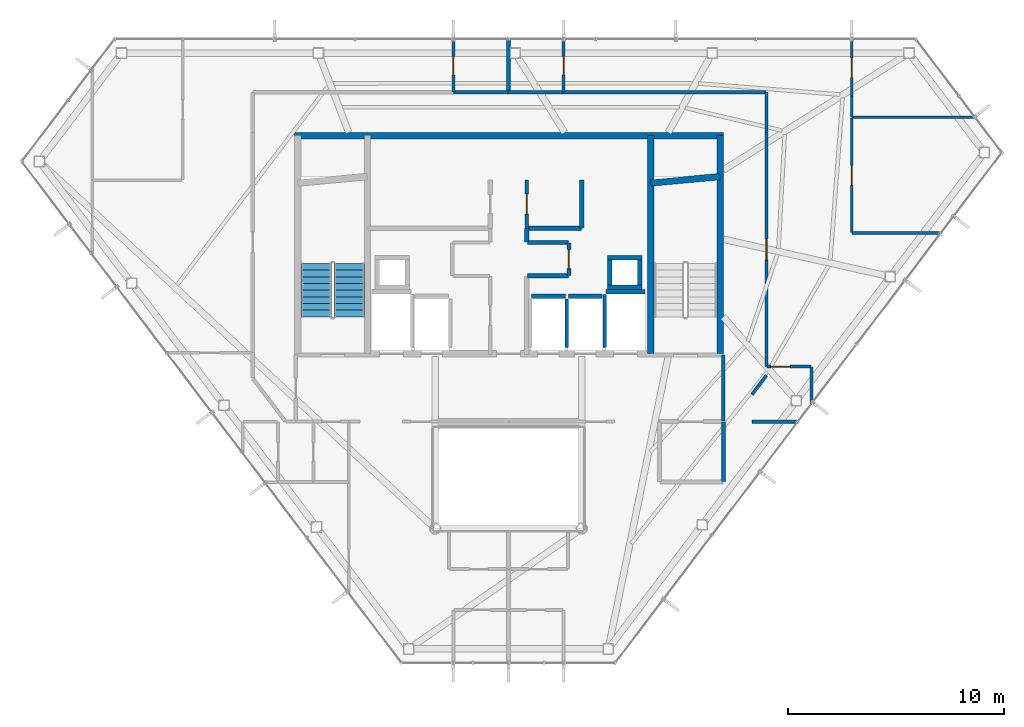
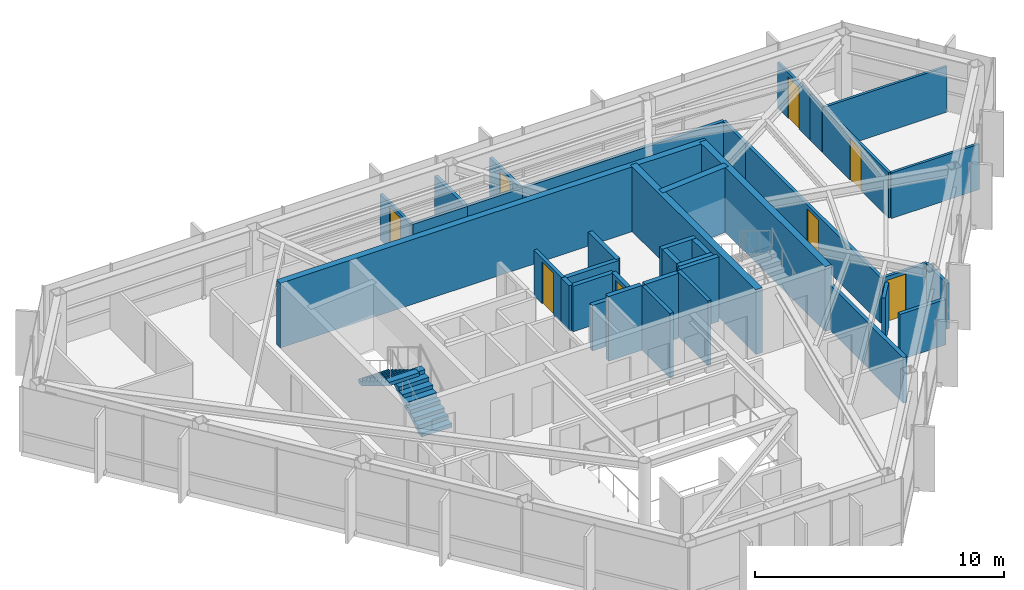
# One storey, part 23 of 25: 39 walls, 8 doors, 2 stair flights, 8 openings, 1 element without a shape of its own.
"""IFC4 building model written with IfcOpenShell, lengths in metres."""

from ifc_helpers import new_model, si_unit, direction, frame, frame_2d, origin, place, context, subcontext, project, spatial, polyline, rectangle, outline, extrude, material, layer, layer_set, type_object, element, fill, aggregate, save


model = new_model("IFC4")

# Units and contexts
model_context = context("Model", 3, precision=1e-05, world=origin(), true_north=direction((0.0, 1.0)))
body_context = subcontext(model_context, "Body", "Model", "MODEL_VIEW")
ifc_project = project(units=[si_unit("LENGTHUNIT", "METRE"), si_unit("AREAUNIT", "SQUARE_METRE"), si_unit("VOLUMEUNIT", "CUBIC_METRE"), si_unit("PLANEANGLEUNIT", "RADIAN"), si_unit("MASSUNIT", "GRAM", prefix="KILO")], contexts=[model_context])

# Site, building, storey
site_placement = place(None, origin())
site = spatial("IfcSite", under=ifc_project, at=site_placement, CompositionType="ELEMENT")
building_placement = place(site_placement, origin())
building = spatial("IfcBuilding", under=site, at=building_placement, Name="Zarrinselat Tower", CompositionType="ELEMENT")
storey_placement = place(building_placement, frame((0.0, 0.0, 261.800048828125)))
storey = spatial("IfcBuildingStorey", under=building, at=storey_placement, Name="L66", CompositionType="ELEMENT", Elevation=261.800048828125)

# Walls
ifc_material_1 = material(Name="Fire-Rated Gypsum Board Partition", Category="gypsum")
ifc_layer_1 = layer(ifc_material_1, 0.1650390625)
ifc_layer_set_1 = layer_set([ifc_layer_1], Name="Fire-Rated Gypsum Board Partition")
wall_type_1 = type_object("IfcWallType", Name="WAL-PART-DEMISE", PredefinedType="PARTITIONING", material=ifc_layer_set_1)
wall_1_placement = place(storey_placement, frame((49.67431640625, 30.14990234375, 0.0), z_axis=(0.0, 0.0, 1.0), x_axis=(1.0, 0.0, 0.0)))
element("IfcWall", 1, at=wall_1_placement, inside=storey, type_object=wall_type_1, Name="L66 Partition Wall 59", PredefinedType="PARTITIONING", context=body_context, shape_type="SweptSolid", body=[
    extrude(rectangle(XDim=2.122314453125, YDim=0.1650390625, at=frame_2d((1.06103515625, 0.0))), origin(), (0.0, 0.0, 1.0), 2.23486328125),
])
wall_2_placement = place(storey_placement, frame((38.39990234375, 45.4267578125, 0.0), z_axis=(0.0, 0.0, 1.0), x_axis=(0.0, 1.0, 0.0)))
element("IfcWall", 2, at=wall_2_placement, inside=storey, type_object=wall_type_1, Name="L66 Partition Wall 66", PredefinedType="PARTITIONING", context=body_context, shape_type="SweptSolid", body=[
    extrude(rectangle(XDim=2.425048828125, YDim=0.1650390625, at=frame_2d((1.21240234375, 0.0))), origin(), (0.0, 0.0, 1.0), 2.23486328125),
])
ifc_material_2 = material(Name="Concrete C40/50", Category="concrete")
ifc_layer_2 = layer(ifc_material_2, 0.18994140625)
ifc_layer_set_2 = layer_set([ifc_layer_2], Name="Concrete C40/50")
wall_type_2 = type_object("IfcWallType", Name="WAL-PART-EI120", PredefinedType="PARTITIONING", material=ifc_layer_set_2)
wall_3_placement = place(storey_placement, frame((48.35009765625, 27.3701171875, 0.0), z_axis=(0.0, 0.0, 1.0), x_axis=(0.0, 1.0, 0.0)))
element("IfcWall", 3, at=wall_3_placement, inside=storey, type_object=wall_type_2, Name="L66 Partition Wall 26", PredefinedType="PARTITIONING", context=body_context, shape_type="SweptSolid", body=[
    extrude(rectangle(XDim=2.759765625, YDim=0.18994140625, at=frame_2d((1.3798828125, 0.0))), origin(), (0.0, 0.0, 1.0), 2.23486328125),
])

# Wall, opening, door
ifc_material_3 = material(Name="Fire-Rated Gypsum Board Partition", Category="gypsum")
ifc_layer_3 = layer(ifc_material_3, 0.14990234375)
ifc_layer_set_3 = layer_set([ifc_layer_3], Name="Fire-Rated Gypsum Board Partition")
wall_type_3 = type_object("IfcWallType", Name="WAL-PART-EI60", PredefinedType="PARTITIONING", material=ifc_layer_set_3)
wall_4_placement = place(storey_placement, frame((39.25, 39.10498046875, 0.0), z_axis=(0.0, 0.0, 1.0), x_axis=(0.0, 1.0, 0.0)))
wall_4 = element("IfcWall", 4, at=wall_4_placement, inside=storey, type_object=wall_type_3, Name="L66 Partition Wall 12", PredefinedType="PARTITIONING", context=body_context, shape_type="SweptSolid", body=[
    extrude(rectangle(XDim=2.2451171875, YDim=0.14990234375, at=frame_2d((1.12255859375, 0.0))), origin(), (0.0, 0.0, 1.0), 2.23486328125),
])
opening_1_placement = place(wall_4_placement, frame((0.652587890625, 0.0, 0.0)))
opening_1 = element("IfcOpeningElement", 5, at=opening_1_placement, cuts=wall_4, Name="Opening ID-04", PredefinedType="OPENING", context=body_context, shape_type="SweptSolid", body=[
    extrude(rectangle(XDim=0.93994140625, YDim=2.050048828125, at=frame_2d((0.469970703125, 1.02490234375))), frame((0.0, 0.0849609375, 0.0), z_axis=(0.0, -1.0, 0.0), x_axis=(1.0, 0.0, 0.0)), (0.0, 0.0, 1.0), 0.169921875),
])
ifc_material_4 = material(Name="Fire-Rated Gypsum Board Partition")
door_type_1 = type_object("IfcDoorType", Name="DR-INT-FD30-ENT", OperationType="NOTDEFINED", PredefinedType="DOOR", material=ifc_material_4)
door_1_placement = place(opening_1_placement, origin())
door_1 = element("IfcDoor", 6, at=door_1_placement, inside=storey, type_object=door_type_1, Name="L66 Interior Door P12", OperationType="SINGLE_SWING_RIGHT", OverallHeight=2.050048828125, OverallWidth=0.93994140625, PredefinedType="DOOR", context=body_context, shape_type="SweptSolid", body=[
    extrude(rectangle(XDim=0.93994140625, YDim=2.050048828125, at=frame_2d((0.469970703125, 1.02490234375))), frame((0.0, 0.02490234375, 0.0), z_axis=(0.0, -1.0, 0.0), x_axis=(1.0, 0.0, 0.0)), (0.0, 0.0, 1.0), 0.050048828125),
])
fill(opening_1, door_1)

# Walls
wall_5_placement = place(storey_placement, frame((48.35009765625, 30.169921875, 0.0), z_axis=(0.0, 0.0, 1.0), x_axis=(0.0, 1.0, 0.0)))
element("IfcWall", 7, at=wall_5_placement, inside=storey, type_object=wall_type_3, Name="L66 Partition Wall 18", PredefinedType="PARTITIONING", context=body_context, shape_type="SweptSolid", body=[
    extrude(rectangle(XDim=3.06005859375, YDim=0.14990234375, at=frame_2d((1.530029296875, 0.0))), origin(), (0.0, 0.0, 1.0), 2.23486328125),
])
wall_6_placement = place(storey_placement, frame((35.85498046875, 45.40673828125, 0.0), z_axis=(0.0, 0.0, 1.0), x_axis=(1.0, 0.0, 0.0)))
element("IfcWall", 8, at=wall_6_placement, inside=storey, type_object=wall_type_3, Name="L66 Partition Wall 31", PredefinedType="PARTITIONING", context=body_context, shape_type="SweptSolid", body=[
    extrude(rectangle(XDim=2.5400390625, YDim=0.14990234375, at=frame_2d((1.27001953125, 0.0))), origin(), (0.0, 0.0, 1.0), 2.23486328125),
])
wall_7_placement = place(storey_placement, frame((40.955078125, 45.40673828125, 0.0), z_axis=(0.0, 0.0, 1.0), x_axis=(1.0, 0.0, 0.0)))
element("IfcWall", 9, at=wall_7_placement, inside=storey, type_object=wall_type_3, Name="L66 Partition Wall 34", PredefinedType="PARTITIONING", context=body_context, shape_type="SweptSolid", body=[
    extrude(rectangle(XDim=9.375, YDim=0.14990234375, at=frame_2d((4.6875, 0.0))), origin(), (0.0, 0.0, 1.0), 2.23486328125),
])
wall_8_placement = place(storey_placement, frame((50.35009765625, 43.550048828125, 0.0), z_axis=(0.0, 0.0, 1.0), x_axis=(0.0, 1.0, 0.0)))
element("IfcWall", 10, at=wall_8_placement, inside=storey, type_object=wall_type_3, Name="L66 Partition Wall 35", PredefinedType="PARTITIONING", context=body_context, shape_type="SweptSolid", body=[
    extrude(rectangle(XDim=1.836669921875, YDim=0.14990234375, at=frame_2d((0.91845703125, 0.0))), origin(), (0.0, 0.0, 1.0), 2.23486328125),
])

# Wall, opening, door
wall_9_placement = place(storey_placement, frame((50.35009765625, 32.705078125, 0.0), z_axis=(0.0, 0.0, 1.0), x_axis=(0.0, 1.0, 0.0)))
wall_9 = element("IfcWall", 11, at=wall_9_placement, inside=storey, type_object=wall_type_3, Name="L66 Partition Wall 36", PredefinedType="PARTITIONING", context=body_context, shape_type="SweptSolid", body=[
    extrude(rectangle(XDim=10.844970703125, YDim=0.14990234375, at=frame_2d((5.42236328125, 0.0))), origin(), (0.0, 0.0, 1.0), 2.23486328125),
])
opening_2_placement = place(wall_9_placement, frame((4.952392578125, 0.0, 0.0)))
opening_2 = element("IfcOpeningElement", 12, at=opening_2_placement, cuts=wall_9, Name="Opening ID-04", PredefinedType="OPENING", context=body_context, shape_type="SweptSolid", body=[
    extrude(rectangle(XDim=0.93994140625, YDim=2.050048828125, at=frame_2d((0.469970703125, 1.02490234375))), frame((0.0, 0.0849609375, 0.0), z_axis=(0.0, -1.0, 0.0), x_axis=(1.0, 0.0, 0.0)), (0.0, 0.0, 1.0), 0.169921875),
])
door_2_placement = place(opening_2_placement, origin())
door_2 = element("IfcDoor", 13, at=door_2_placement, inside=storey, type_object=door_type_1, Name="L66 Interior Door P36", OperationType="SINGLE_SWING_LEFT", OverallHeight=2.050048828125, OverallWidth=0.93994140625, PredefinedType="DOOR", context=body_context, shape_type="SweptSolid", body=[
    extrude(rectangle(XDim=0.93994140625, YDim=2.050048828125, at=frame_2d((0.469970703125, 1.02490234375))), frame((0.0, 0.02490234375, 0.0), z_axis=(0.0, -1.0, 0.0), x_axis=(1.0, 0.0, 0.0)), (0.0, 0.0, 1.0), 0.050048828125),
])
fill(opening_2, door_2)

# Walls
wall_10_placement = place(storey_placement, frame((49.67431640625, 31.402587890625, 0.0), z_axis=(0.0, 0.0, 1.0), x_axis=(0.603937499622, 0.797031678511, 0.0)))
element("IfcWall", 14, at=wall_10_placement, inside=storey, type_object=wall_type_3, Name="L66 Partition Wall 37", PredefinedType="PARTITIONING", context=body_context, shape_type="SweptSolid", body=[
    extrude(rectangle(XDim=1.118896484375, YDim=0.14990234375, at=frame_2d((0.5595703125, 0.0))), origin(), (0.0, 0.0, 1.0), 2.23486328125),
])
wall_11_placement = place(storey_placement, frame((38.405029296875, 45.40673828125, 0.0), z_axis=(0.0, 0.0, 1.0), x_axis=(1.0, 0.0, 0.0)))
element("IfcWall", 15, at=wall_11_placement, inside=storey, type_object=wall_type_3, Name="L66 Partition Wall 38", PredefinedType="PARTITIONING", context=body_context, shape_type="SweptSolid", body=[
    extrude(rectangle(XDim=2.5400390625, YDim=0.14990234375, at=frame_2d((1.27001953125, 0.0))), origin(), (0.0, 0.0, 1.0), 2.23486328125),
])
ifc_material_5 = material(Name="Concrete C40/50", Category="concrete")
ifc_layer_4 = layer(ifc_material_5, 0.199951171875)
ifc_layer_set_4 = layer_set([ifc_layer_4], Name="Concrete C40/50")
wall_type_4 = type_object("IfcWallType", Name="WAL-PART-PLANT", PredefinedType="PARTITIONING", material=ifc_layer_set_4)
wall_12_placement = place(storey_placement, frame((39.25, 38.469970703125, 0.0), z_axis=(0.0, 0.0, 1.0), x_axis=(0.0, 1.0, 0.0)))
element("IfcWall", 16, at=wall_12_placement, inside=storey, type_object=wall_type_4, Name="L66 Partition Wall 7", PredefinedType="PARTITIONING", context=body_context, shape_type="SweptSolid", body=[
    extrude(rectangle(XDim=0.625, YDim=0.199951171875, at=frame_2d((0.3125, 0.0))), origin(), (0.0, 0.0, 1.0), 2.23486328125),
])
wall_13_placement = place(storey_placement, frame((39.27001953125, 38.449951171875, 0.0), z_axis=(0.0, 0.0, 1.0), x_axis=(1.0, 0.0, 0.0)))
element("IfcWall", 17, at=wall_13_placement, inside=storey, type_object=wall_type_4, Name="L66 Partition Wall 8", PredefinedType="PARTITIONING", context=body_context, shape_type="SweptSolid", body=[
    extrude(rectangle(XDim=1.909912109375, YDim=0.199951171875, at=frame_2d((0.955078125, 0.0))), origin(), (0.0, 0.0, 1.0), 2.23486328125),
])

# Wall, opening, door
wall_14_placement = place(storey_placement, frame((41.199951171875, 36.919921875, 0.0), z_axis=(0.0, 0.0, 1.0), x_axis=(0.0, 1.0, 0.0)))
wall_14 = element("IfcWall", 18, at=wall_14_placement, inside=storey, type_object=wall_type_4, Name="L66 Partition Wall 9", PredefinedType="PARTITIONING", context=body_context, shape_type="SweptSolid", body=[
    extrude(rectangle(XDim=1.510009765625, YDim=0.199951171875, at=frame_2d((0.7548828125, 0.0))), origin(), (0.0, 0.0, 1.0), 2.23486328125),
])
opening_3_placement = place(wall_14_placement, frame((0.31494140625, 0.0, 0.0)))
opening_3 = element("IfcOpeningElement", 19, at=opening_3_placement, cuts=wall_14, Name="Opening ID-03", PredefinedType="OPENING", context=body_context, shape_type="SweptSolid", body=[
    extrude(rectangle(XDim=0.8798828125, YDim=2.050048828125, at=frame_2d((0.43994140625, 1.02490234375))), frame((0.0, 0.10986328125, 0.0), z_axis=(0.0, -1.0, 0.0), x_axis=(1.0, 0.0, 0.0)), (0.0, 0.0, 1.0), 0.219970703125),
])
ifc_material_6 = material(Name="Steel S355J2", Category="steel")
door_type_2 = type_object("IfcDoorType", Name="DR-INT-FD60-S", OperationType="NOTDEFINED", PredefinedType="DOOR", material=ifc_material_6)
door_3_placement = place(opening_3_placement, origin())
door_3 = element("IfcDoor", 20, at=door_3_placement, inside=storey, type_object=door_type_2, Name="L66 Interior Door P9", OperationType="SINGLE_SWING_LEFT", OverallHeight=2.050048828125, OverallWidth=0.8798828125, PredefinedType="DOOR", context=body_context, shape_type="SweptSolid", body=[
    extrude(rectangle(XDim=0.8798828125, YDim=2.050048828125, at=frame_2d((0.43994140625, 1.02490234375))), frame((0.0, 0.02490234375, 0.0), z_axis=(0.0, -1.0, 0.0), x_axis=(1.0, 0.0, 0.0)), (0.0, 0.0, 1.0), 0.050048828125),
])
fill(opening_3, door_3)

# Walls
wall_15_placement = place(storey_placement, frame((39.27001953125, 36.89990234375, 0.0), z_axis=(0.0, 0.0, 1.0), x_axis=(1.0, 0.0, 0.0)))
element("IfcWall", 21, at=wall_15_placement, inside=storey, type_object=wall_type_4, Name="L66 Partition Wall 10", PredefinedType="PARTITIONING", context=body_context, shape_type="SweptSolid", body=[
    extrude(rectangle(XDim=1.909912109375, YDim=0.199951171875, at=frame_2d((0.955078125, 0.0))), origin(), (0.0, 0.0, 1.0), 2.23486328125),
])
wall_16_placement = place(storey_placement, frame((39.27001953125, 39.10009765625, 0.0), z_axis=(0.0, 0.0, 1.0), x_axis=(1.0, 0.0, 0.0)))
element("IfcWall", 22, at=wall_16_placement, inside=storey, type_object=wall_type_4, Name="L66 Partition Wall 14", PredefinedType="PARTITIONING", context=body_context, shape_type="SweptSolid", body=[
    extrude(rectangle(XDim=2.510009765625, YDim=0.199951171875, at=frame_2d((1.2548828125, 0.0))), origin(), (0.0, 0.0, 1.0), 2.23486328125),
])
wall_17_placement = place(storey_placement, frame((41.800048828125, 39.1201171875, 0.0), z_axis=(0.0, 0.0, 1.0), x_axis=(0.0, 1.0, 0.0)))
element("IfcWall", 23, at=wall_17_placement, inside=storey, type_object=wall_type_4, Name="L66 Partition Wall 15", PredefinedType="PARTITIONING", context=body_context, shape_type="SweptSolid", body=[
    extrude(rectangle(XDim=2.22998046875, YDim=0.199951171875, at=frame_2d((1.114990234375, 0.0))), origin(), (0.0, 0.0, 1.0), 2.23486328125),
])

# Wall, opening, door
ifc_material_7 = material(Name="Fire-Rated Gypsum Board Partition", Category="gypsum")
ifc_layer_5 = layer(ifc_material_7, 0.1201171875)
ifc_layer_set_5 = layer_set([ifc_layer_5], Name="Fire-Rated Gypsum Board Partition")
wall_type_5 = type_object("IfcWallType", Name="WAL-PART-STD", PredefinedType="PARTITIONING", material=ifc_layer_set_5)
wall_18_placement = place(storey_placement, frame((54.301025390625, 45.23876953125, 0.0), z_axis=(0.0, 0.0, 1.0), x_axis=(0.0, 1.0, 0.0)))
wall_18 = element("IfcWall", 24, at=wall_18_placement, inside=storey, type_object=wall_type_5, Name="L66 Partition Wall 70", PredefinedType="PARTITIONING", context=body_context, shape_type="SweptSolid", body=[
    extrude(rectangle(XDim=2.613037109375, YDim=0.1201171875, at=frame_2d((1.306640625, 0.0))), origin(), (0.0, 0.0, 1.0), 2.23486328125),
])
opening_4_placement = place(wall_18_placement, frame((0.8564453125, 0.0, 0.0)))
opening_4 = element("IfcOpeningElement", 25, at=opening_4_placement, cuts=wall_18, Name="Opening ID-05", PredefinedType="OPENING", context=body_context, shape_type="SweptSolid", body=[
    extrude(rectangle(XDim=0.89990234375, YDim=2.050048828125, at=frame_2d((0.449951171875, 1.02490234375))), frame((0.0, 0.070068359375, 0.0), z_axis=(0.0, -1.0, 0.0), x_axis=(1.0, 0.0, 0.0)), (0.0, 0.0, 1.0), 0.14013671875),
])
ifc_material_8 = material(Name="Extruded Aluminium Alloy EN AW-6063 T6", Category="aluminium")
door_type_3 = type_object("IfcDoorType", Name="DR-INT-STD-920", OperationType="NOTDEFINED", PredefinedType="DOOR", material=ifc_material_8)
door_4_placement = place(opening_4_placement, origin())
door_4 = element("IfcDoor", 26, at=door_4_placement, inside=storey, type_object=door_type_3, Name="L66 Interior Door P70", OperationType="SINGLE_SWING_LEFT", OverallHeight=2.050048828125, OverallWidth=0.89990234375, PredefinedType="DOOR", context=body_context, shape_type="SweptSolid", body=[
    extrude(rectangle(XDim=0.89990234375, YDim=2.050048828125, at=frame_2d((0.449951171875, 1.02490234375))), frame((0.0, 0.02490234375, 0.0), z_axis=(0.0, -1.0, 0.0), x_axis=(1.0, 0.0, 0.0)), (0.0, 0.0, 1.0), 0.050048828125),
])
fill(opening_4, door_4)

# Wall
wall_19_placement = place(storey_placement, frame((54.301025390625, 44.2587890625, 0.0), z_axis=(0.0, 0.0, 1.0), x_axis=(0.0, 1.0, 0.0)))
element("IfcWall", 27, at=wall_19_placement, inside=storey, type_object=wall_type_5, Name="L66 Partition Wall 71", PredefinedType="PARTITIONING", context=body_context, shape_type="SweptSolid", body=[
    extrude(rectangle(XDim=0.97998046875, YDim=0.1201171875, at=frame_2d((0.489990234375, 0.0))), origin(), (0.0, 0.0, 1.0), 2.23486328125),
])

# Wall, opening, door
wall_20_placement = place(storey_placement, frame((54.301025390625, 38.906982421875, 0.0), z_axis=(0.0, 0.0, 1.0), x_axis=(0.0, 1.0, 0.0)))
wall_20 = element("IfcWall", 28, at=wall_20_placement, inside=storey, type_object=wall_type_5, Name="L66 Partition Wall 72", PredefinedType="PARTITIONING", context=body_context, shape_type="SweptSolid", body=[
    extrude(rectangle(XDim=5.311767578125, YDim=0.1201171875, at=frame_2d((2.65576171875, 0.0))), origin(), (0.0, 0.0, 1.0), 2.23486328125),
])
opening_5_placement = place(wall_20_placement, frame((2.205810546875, 0.0, 0.0)))
opening_5 = element("IfcOpeningElement", 29, at=opening_5_placement, cuts=wall_20, Name="Opening ID-05", PredefinedType="OPENING", context=body_context, shape_type="SweptSolid", body=[
    extrude(rectangle(XDim=0.89990234375, YDim=2.050048828125, at=frame_2d((0.449951171875, 1.02490234375))), frame((0.0, 0.070068359375, 0.0), z_axis=(0.0, -1.0, 0.0), x_axis=(1.0, 0.0, 0.0)), (0.0, 0.0, 1.0), 0.14013671875),
])
door_5_placement = place(opening_5_placement, origin())
door_5 = element("IfcDoor", 30, at=door_5_placement, inside=storey, type_object=door_type_3, Name="L66 Interior Door P72", OperationType="SINGLE_SWING_RIGHT", OverallHeight=2.050048828125, OverallWidth=0.89990234375, PredefinedType="DOOR", context=body_context, shape_type="SweptSolid", body=[
    extrude(rectangle(XDim=0.89990234375, YDim=2.050048828125, at=frame_2d((0.449951171875, 1.02490234375))), frame((0.0, 0.02490234375, 0.0), z_axis=(0.0, -1.0, 0.0), x_axis=(1.0, 0.0, 0.0)), (0.0, 0.0, 1.0), 0.050048828125),
])
fill(opening_5, door_5)

# Walls
wall_21_placement = place(storey_placement, frame((54.321044921875, 38.88720703125, 0.0), z_axis=(0.0, 0.0, 1.0), x_axis=(1.0, 0.0, 0.0)))
element("IfcWall", 31, at=wall_21_placement, inside=storey, type_object=wall_type_5, Name="L66 Partition Wall 73", PredefinedType="PARTITIONING", context=body_context, shape_type="SweptSolid", body=[
    extrude(rectangle(XDim=4.0947265625, YDim=0.1201171875, at=frame_2d((2.04736328125, 0.0))), origin(), (0.0, 0.0, 1.0), 2.23486328125),
])
wall_22_placement = place(storey_placement, frame((54.321044921875, 44.23876953125, 0.0), z_axis=(0.0, 0.0, 1.0), x_axis=(1.0, 0.0, 0.0)))
element("IfcWall", 32, at=wall_22_placement, inside=storey, type_object=wall_type_5, Name="L66 Partition Wall 74", PredefinedType="PARTITIONING", context=body_context, shape_type="SweptSolid", body=[
    extrude(rectangle(XDim=5.68701171875, YDim=0.1201171875, at=frame_2d((2.843505859375, 0.0))), origin(), (0.0, 0.0, 1.0), 2.23486328125),
])

# Wall, opening, door
ifc_material_9 = material(Name="Fire-Rated Gypsum Board Partition", Category="gypsum")
ifc_layer_6 = layer(ifc_material_9, 0.135009765625)
ifc_layer_set_6 = layer_set([ifc_layer_6], Name="Fire-Rated Gypsum Board Partition")
wall_type_6 = type_object("IfcWallType", Name="WAL-PART-WET", PredefinedType="PARTITIONING", material=ifc_layer_set_6)
wall_23_placement = place(storey_placement, frame((35.85009765625, 45.4267578125, 0.0), z_axis=(0.0, 0.0, 1.0), x_axis=(0.0, 1.0, 0.0)))
wall_23 = element("IfcWall", 33, at=wall_23_placement, inside=storey, type_object=wall_type_6, Name="L66 Partition Wall 61", PredefinedType="PARTITIONING", context=body_context, shape_type="SweptSolid", body=[
    extrude(rectangle(XDim=2.425048828125, YDim=0.135009765625, at=frame_2d((1.21240234375, 0.0))), origin(), (0.0, 0.0, 1.0), 2.23486328125),
])
opening_6_placement = place(wall_23_placement, frame((0.782470703125, 0.0, 0.0)))
opening_6 = element("IfcOpeningElement", 34, at=opening_6_placement, cuts=wall_23, Name="Opening ID-06", PredefinedType="OPENING", context=body_context, shape_type="SweptSolid", body=[
    extrude(rectangle(XDim=0.860107421875, YDim=2.050048828125, at=frame_2d((0.43017578125, 1.02490234375))), frame((0.0, 0.077392578125, 0.0), z_axis=(0.0, -1.0, 0.0), x_axis=(1.0, 0.0, 0.0)), (0.0, 0.0, 1.0), 0.155029296875),
])
ifc_material_10 = material(Name="Extruded Aluminium Alloy EN AW-6063 T6", Category="aluminium")
door_type_4 = type_object("IfcDoorType", Name="DR-INT-WET-900", OperationType="NOTDEFINED", PredefinedType="DOOR", material=ifc_material_10)
door_6_placement = place(opening_6_placement, origin())
door_6 = element("IfcDoor", 35, at=door_6_placement, inside=storey, type_object=door_type_4, Name="L66 Interior Door P61", OperationType="SINGLE_SWING_RIGHT", OverallHeight=2.050048828125, OverallWidth=0.860107421875, PredefinedType="DOOR", context=body_context, shape_type="SweptSolid", body=[
    extrude(rectangle(XDim=0.860107421875, YDim=2.050048828125, at=frame_2d((0.43017578125, 1.02490234375))), frame((0.0, 0.02490234375, 0.0), z_axis=(0.0, -1.0, 0.0), x_axis=(1.0, 0.0, 0.0)), (0.0, 0.0, 1.0), 0.050048828125),
])
fill(opening_6, door_6)

# Wall
wall_24_placement = place(storey_placement, frame((52.439453125, 30.99365234375, 0.0), z_axis=(0.0, 0.0, 1.0), x_axis=(0.0, 1.0, 0.0)))
element("IfcWall", 36, at=wall_24_placement, inside=storey, type_object=wall_type_6, Name="L66 Partition Wall 67", PredefinedType="PARTITIONING", context=body_context, shape_type="SweptSolid", body=[
    extrude(rectangle(XDim=1.686279296875, YDim=0.135009765625, at=frame_2d((0.84326171875, 0.0))), origin(), (0.0, 0.0, 1.0), 2.23486328125),
])

# Wall, opening, door
wall_25_placement = place(storey_placement, frame((50.3701171875, 32.699951171875, 0.0), z_axis=(0.0, 0.0, 1.0), x_axis=(1.0, 0.0, 0.0)))
wall_25 = element("IfcWall", 37, at=wall_25_placement, inside=storey, type_object=wall_type_6, Name="L66 Partition Wall 68", PredefinedType="PARTITIONING", context=body_context, shape_type="SweptSolid", body=[
    extrude(rectangle(XDim=2.04931640625, YDim=0.135009765625, at=frame_2d((1.024658203125, 0.0))), origin(), (0.0, 0.0, 1.0), 2.23486328125),
])
opening_7_placement = place(wall_25_placement, frame((0.179931640625, 0.0, 0.0)))
opening_7 = element("IfcOpeningElement", 38, at=opening_7_placement, cuts=wall_25, Name="Opening ID-03", PredefinedType="OPENING", context=body_context, shape_type="SweptSolid", body=[
    extrude(rectangle(XDim=0.8798828125, YDim=2.050048828125, at=frame_2d((0.43994140625, 1.02490234375))), frame((0.0, 0.077392578125, 0.0), z_axis=(0.0, -1.0, 0.0), x_axis=(1.0, 0.0, 0.0)), (0.0, 0.0, 1.0), 0.155029296875),
])
door_7_placement = place(opening_7_placement, origin())
door_7 = element("IfcDoor", 39, at=door_7_placement, inside=storey, type_object=door_type_2, Name="L66 Interior Door P68", OperationType="SINGLE_SWING_LEFT", OverallHeight=2.050048828125, OverallWidth=0.8798828125, PredefinedType="DOOR", context=body_context, shape_type="SweptSolid", body=[
    extrude(rectangle(XDim=0.8798828125, YDim=2.050048828125, at=frame_2d((0.43994140625, 1.02490234375))), frame((0.0, 0.02490234375, 0.0), z_axis=(0.0, -1.0, 0.0), x_axis=(1.0, 0.0, 0.0)), (0.0, 0.0, 1.0), 0.050048828125),
])
fill(opening_7, door_7)

wall_26_placement = place(storey_placement, frame((40.949951171875, 45.4267578125, 0.0), z_axis=(0.0, 0.0, 1.0), x_axis=(0.0, 1.0, 0.0)))
wall_26 = element("IfcWall", 40, at=wall_26_placement, inside=storey, type_object=wall_type_6, Name="L66 Partition Wall 69", PredefinedType="PARTITIONING", context=body_context, shape_type="SweptSolid", body=[
    extrude(rectangle(XDim=2.425048828125, YDim=0.135009765625, at=frame_2d((1.21240234375, 0.0))), origin(), (0.0, 0.0, 1.0), 2.23486328125),
])
opening_8_placement = place(wall_26_placement, frame((0.782470703125, 0.0, 0.0)))
opening_8 = element("IfcOpeningElement", 41, at=opening_8_placement, cuts=wall_26, Name="Opening ID-06", PredefinedType="OPENING", context=body_context, shape_type="SweptSolid", body=[
    extrude(rectangle(XDim=0.860107421875, YDim=2.050048828125, at=frame_2d((0.43017578125, 1.02490234375))), frame((0.0, 0.077392578125, 0.0), z_axis=(0.0, -1.0, 0.0), x_axis=(1.0, 0.0, 0.0)), (0.0, 0.0, 1.0), 0.155029296875),
])
door_8_placement = place(opening_8_placement, origin())
door_8 = element("IfcDoor", 42, at=door_8_placement, inside=storey, type_object=door_type_4, Name="L66 Interior Door P69", OperationType="SINGLE_SWING_RIGHT", OverallHeight=2.050048828125, OverallWidth=0.860107421875, PredefinedType="DOOR", context=body_context, shape_type="SweptSolid", body=[
    extrude(rectangle(XDim=0.860107421875, YDim=2.050048828125, at=frame_2d((0.43017578125, 1.02490234375))), frame((0.0, 0.02490234375, 0.0), z_axis=(0.0, -1.0, 0.0), x_axis=(1.0, 0.0, 0.0)), (0.0, 0.0, 1.0), 0.050048828125),
])
fill(opening_8, door_8)

# Walls
ifc_material_11 = material(Name="Concrete C40/50", Category="concrete")
ifc_layer_7 = layer(ifc_material_11, 0.2099609375)
ifc_layer_set_7 = layer_set([ifc_layer_7], Name="Concrete C40/50")
wall_type_7 = type_object("IfcWallType", Name="WAL-SHAFT-210", PredefinedType="SOLIDWALL", material=ifc_layer_set_7)
wall_27_placement = place(storey_placement, frame((42.919921875, 36.155029296875, 0.0), z_axis=(0.0, 0.0, 1.0), x_axis=(1.0, 0.0, 0.0)))
element("IfcWall", 43, at=wall_27_placement, inside=storey, type_object=wall_type_7, Name="L66 Lift FFL2 North Shaft Wall", PredefinedType="SOLIDWALL", context=body_context, shape_type="SweptSolid", body=[
    extrude(rectangle(XDim=1.800048828125, YDim=0.2099609375, at=frame_2d((0.89990234375, 0.0))), origin(), (0.0, 0.0, 1.0), 3.179931640625),
])
wall_28_placement = place(storey_placement, frame((42.85009765625, 33.580078125, 0.0), z_axis=(0.0, 0.0, 1.0), x_axis=(0.0, 1.0, 0.0)))
element("IfcWall", 44, at=wall_28_placement, inside=storey, type_object=wall_type_7, Name="L66 Lift FFL2 W Shaft Wall", PredefinedType="SOLIDWALL", context=body_context, shape_type="SweptSolid", body=[
    extrude(rectangle(XDim=2.449951171875, YDim=0.159912109375, at=frame_2d((1.22509765625, 0.0))), origin(), (0.0, 0.0, 1.0), 3.179931640625),
])
wall_29_placement = place(storey_placement, frame((39.469970703125, 35.955078125, 0.0), z_axis=(0.0, 0.0, 1.0), x_axis=(1.0, 0.0, 0.0)))
element("IfcWall", 45, at=wall_29_placement, inside=storey, type_object=wall_type_7, Name="L66 Lift PL8 North Shaft Wall", PredefinedType="SOLIDWALL", context=body_context, shape_type="SweptSolid", body=[
    extrude(rectangle(XDim=1.56005859375, YDim=0.2099609375, at=frame_2d((0.780029296875, 0.0))), origin(), (0.0, 0.0, 1.0), 3.179931640625),
])
wall_30_placement = place(storey_placement, frame((41.10009765625, 33.580078125, 0.0), z_axis=(0.0, 0.0, 1.0), x_axis=(0.0, 1.0, 0.0)))
element("IfcWall", 46, at=wall_30_placement, inside=storey, type_object=wall_type_7, Name="L66 Lift PL8 E Shaft Wall", PredefinedType="SOLIDWALL", context=body_context, shape_type="SweptSolid", body=[
    extrude(rectangle(XDim=2.25, YDim=0.159912109375, at=frame_2d((1.125, 0.0))), origin(), (0.0, 0.0, 1.0), 3.179931640625),
])
wall_31_placement = place(storey_placement, frame((41.169921875, 35.955078125, 0.0), z_axis=(0.0, 0.0, 1.0), x_axis=(1.0, 0.0, 0.0)))
element("IfcWall", 47, at=wall_31_placement, inside=storey, type_object=wall_type_7, Name="L66 Lift PL9 North Shaft Wall", PredefinedType="SOLIDWALL", context=body_context, shape_type="SweptSolid", body=[
    extrude(rectangle(XDim=1.56005859375, YDim=0.2099609375, at=frame_2d((0.780029296875, 0.0))), origin(), (0.0, 0.0, 1.0), 3.179931640625),
])
for number, where, z_axis, x_axis, name in (
    (48, (42.989990234375, 36.375, 0.0), (0.0, 0.0, 1.0), (1.0, 0.0, 0.0), "L66 Core Riser RSR-E S Shaft Wall"),
    (49, (42.989990234375, 37.7451171875, 0.0), (0.0, 0.0, 1.0), (1.0, 0.0, 0.0), "L66 Core Riser RSR-E N Shaft Wall"),
):
    element("IfcWall", number, at=place(storey_placement, frame(where, z_axis=z_axis, x_axis=x_axis)), inside=storey, type_object=wall_type_7, Name=name, PredefinedType="SOLIDWALL", context=body_context, shape_type="SweptSolid", body=[
        extrude(rectangle(XDim=1.60009765625, YDim=0.2099609375, at=frame_2d((0.800048828125, 0.0))), origin(), (0.0, 0.0, 1.0), 3.179931640625),
    ])
for number, where, z_axis, x_axis, name in (
    (50, (43.094970703125, 36.485107421875, 0.0), (0.0, 0.0, 1.0), (0.0, 1.0, 0.0), "L66 Core Riser RSR-E W Shaft Wall"),
    (51, (44.485107421875, 36.485107421875, 0.0), (0.0, 0.0, 1.0), (0.0, 1.0, 0.0), "L66 Core Riser RSR-E E Shaft Wall"),
):
    element("IfcWall", number, at=place(storey_placement, frame(where, z_axis=z_axis, x_axis=x_axis)), inside=storey, type_object=wall_type_7, Name=name, PredefinedType="SOLIDWALL", context=body_context, shape_type="SweptSolid", body=[
        extrude(rectangle(XDim=1.14990234375, YDim=0.2099609375, at=frame_2d((0.574951171875, 0.0))), origin(), (0.0, 0.0, 1.0), 3.179931640625),
    ])
ifc_material_12 = material(Name="Concrete C40/50", Category="concrete")
ifc_layer_8 = layer(ifc_material_12, 0.300048828125)
ifc_layer_set_8 = layer_set([ifc_layer_8], Name="Concrete C40/50")
wall_type_8 = type_object("IfcWallType", Name="WAL-SHEAR-300", PredefinedType="SHEAR", material=ifc_layer_set_8)
wall_32_placement = place(storey_placement, frame((28.5, 43.39990234375, 0.0), z_axis=(0.0, 0.0, 1.0), x_axis=(1.0, 0.0, 0.0)))
element("IfcWall", 52, at=wall_32_placement, inside=storey, type_object=wall_type_8, Name="L66 North Core Shear Wall", PredefinedType="SHEAR", context=body_context, shape_type="SweptSolid", body=[
    extrude(rectangle(XDim=19.860107421875, YDim=0.300048828125, at=frame_2d((9.93017578125, 0.0))), origin(), (0.0, 0.0, 1.0), 3.179931640625),
])
for number, where, z_axis, x_axis, name in (
    (53, (44.989990234375, 33.300048828125, 0.0), (0.0, 0.0, 1.0), (0.0, 1.0, 0.0), "L66 Core Shear Wall ST2W"),
    (54, (48.2099609375, 33.300048828125, 0.0), (0.0, 0.0, 1.0), (0.0, 1.0, 0.0), "L66 Core Shear Wall E"),
):
    element("IfcWall", number, at=place(storey_placement, frame(where, z_axis=z_axis, x_axis=x_axis)), inside=storey, type_object=wall_type_8, Name=name, PredefinedType="SHEAR", context=body_context, shape_type="SweptSolid", body=[
        extrude(rectangle(XDim=10.099853515625, YDim=0.300048828125, at=frame_2d((5.0498046875, 0.0))), origin(), (0.0, 0.0, 1.0), 3.179931640625),
    ])
wall_33_placement = place(storey_placement, frame((44.97998046875, 41.199951171875, 0.0), z_axis=(0.0, 0.0, 1.0), x_axis=(0.995686468965, 0.09278176286, 0.0)))
element("IfcWall", 55, at=wall_33_placement, inside=storey, type_object=wall_type_8, Name="L66 Stair 2 North Shaft Wall", PredefinedType="SHEAR", context=body_context, shape_type="SweptSolid", body=[
    extrude(rectangle(XDim=3.23388671875, YDim=0.300048828125, at=frame_2d((1.616943359375, 0.0))), origin(), (0.0, 0.0, 1.0), 3.179931640625),
])

# Stair, stair flights
ifc_material_13 = material(Name="Concrete C40/50", Category="concrete")
stair_type = type_object("IfcStairType", Name="STR-CORE-155", PredefinedType="HALF_TURN_STAIR", material=ifc_material_13)
stair_placement = place(storey_placement, origin())
stair = element("IfcStair", 56, at=stair_placement, inside=storey, type_object=stair_type, Name="L66 Core Exit Stair 1", PredefinedType="HALF_TURN_STAIR")
ifc_material_14 = material(Name="Concrete C40/50", Category="concrete")
stair_flight_type = type_object("IfcStairFlightType", Name="STR-FLT-155", PredefinedType="STRAIGHT", material=ifc_material_14)
stair_flight_1_placement = place(storey_placement, frame((31.02001953125, 35.0, 0.0), z_axis=(0.0, 0.0, 1.0), x_axis=(0.0, 1.0, 0.0)))
stair_flight_1 = element("IfcStairFlight", 57, at=stair_flight_1_placement, type_object=stair_flight_type, Name="ST-1 flight 1", NumberOfRisers=9, NumberOfTreads=8, PredefinedType="STRAIGHT", RiserHeight=0.188888889, TreadLength=0.31, context=body_context, shape_type="SweptSolid", body=[
    extrude(outline(polyline([(0.0, 0.0), (0.0, 0.18896484375), (0.31005859375, 0.18896484375), (0.31005859375, 0.377685546875), (0.6201171875, 0.377685546875), (0.6201171875, 0.566650390625), (0.929931640625, 0.566650390625), (0.929931640625, 0.755615234375), (1.239990234375, 0.755615234375), (1.239990234375, 0.9443359375), (1.550048828125, 0.9443359375), (1.550048828125, 1.13330078125), (1.860107421875, 1.13330078125), (1.860107421875, 1.322265625), (2.169921875, 1.322265625), (2.169921875, 1.51123046875), (2.47998046875, 1.51123046875), (2.47998046875, 1.699951171875), (2.47998046875, 1.335693359375), (0.2880859375, 0.0), (0.0, 0.0)])), frame((0.0, 0.699951171875, 0.0), z_axis=(0.0, -1.0, 0.0), x_axis=(1.0, 0.0, 0.0)), (0.0, 0.0, 1.0), 1.39990234375),
])
stair_flight_2_placement = place(storey_placement, frame((29.5, 37.47998046875, 1.699951171875), z_axis=(0.0, 0.0, 1.0), x_axis=(0.0, -1.0, 0.0)))
stair_flight_2 = element("IfcStairFlight", 58, at=stair_flight_2_placement, type_object=stair_flight_type, Name="ST-1 flight 2", NumberOfRisers=9, NumberOfTreads=8, PredefinedType="STRAIGHT", RiserHeight=0.188888889, TreadLength=0.31, context=body_context, shape_type="SweptSolid", body=[
    extrude(outline(polyline([(0.0, 0.0), (0.0, 0.18896484375), (0.31005859375, 0.18896484375), (0.31005859375, 0.377685546875), (0.6201171875, 0.377685546875), (0.6201171875, 0.566650390625), (0.929931640625, 0.566650390625), (0.929931640625, 0.755615234375), (1.239990234375, 0.755615234375), (1.239990234375, 0.9443359375), (1.550048828125, 0.9443359375), (1.550048828125, 1.13330078125), (1.860107421875, 1.13330078125), (1.860107421875, 1.322265625), (2.169921875, 1.322265625), (2.169921875, 1.51123046875), (2.47998046875, 1.51123046875), (2.47998046875, 1.699951171875), (2.47998046875, 1.335693359375), (0.2880859375, 0.0), (0.0, 0.0)])), frame((0.0, 0.699951171875, 0.0), z_axis=(0.0, -1.0, 0.0), x_axis=(1.0, 0.0, 0.0)), (0.0, 0.0, 1.0), 1.39990234375),
])
aggregate(stair, [stair_flight_1, stair_flight_2])

save(model, "model.ifc")
